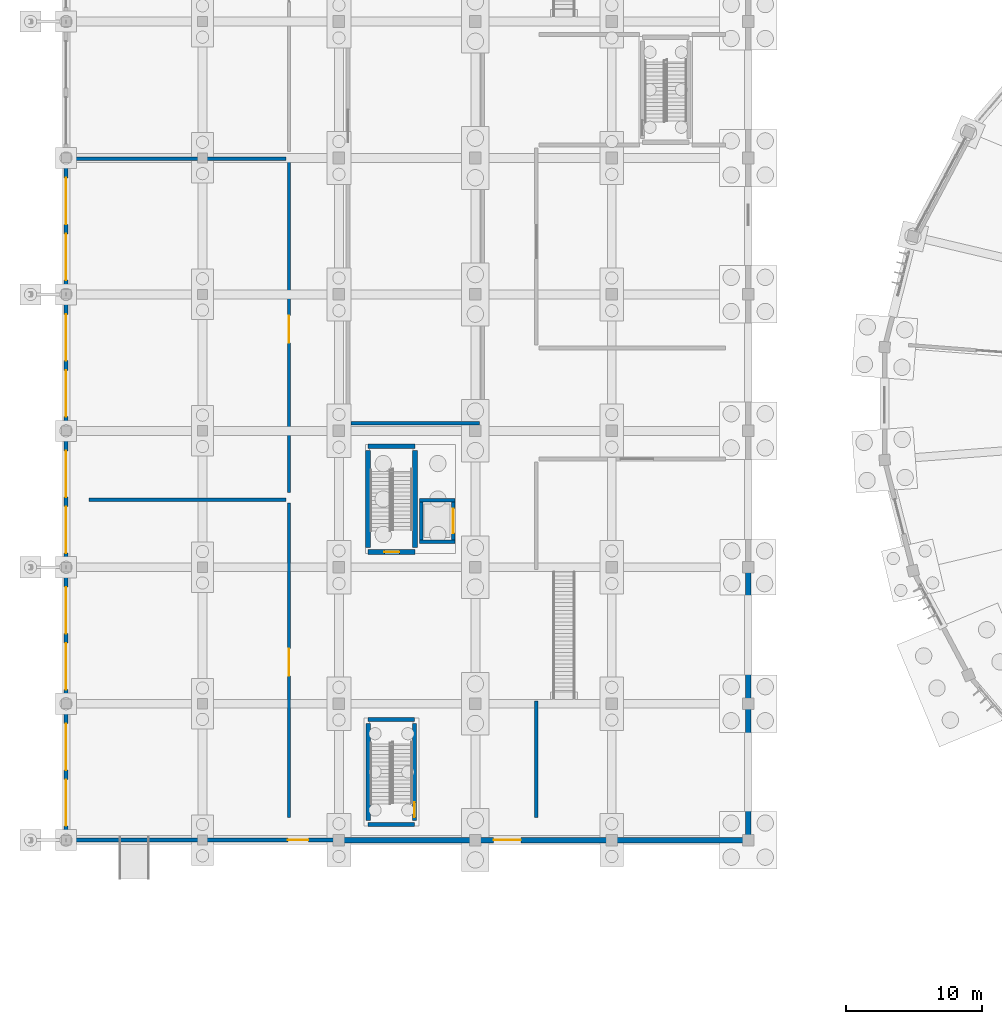
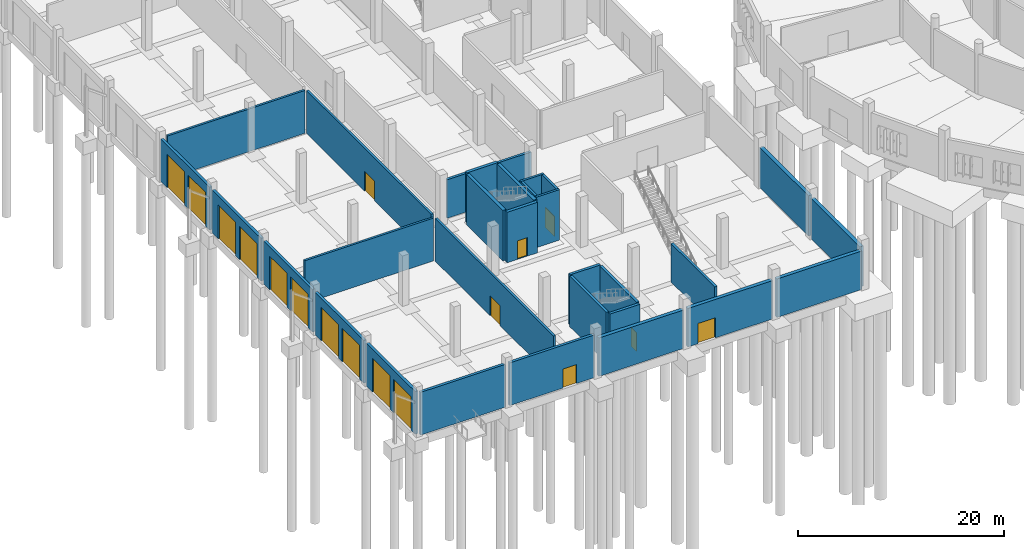
# One storey, part 77 of 140: 30 walls, 17 doors, 17 openings.
"""IFC4 building model written with IfcOpenShell, lengths in metres."""

from ifc_helpers import new_model, si_unit, direction, frame, frame_2d, origin, place, context, subcontext, project, spatial, rectangle, extrude, material, layer, layer_set, type_object, element, fill, save


model = new_model("IFC4")

# Units and contexts
model_context = context("Model", 3, precision=1e-05, world=origin(), true_north=direction((0.0, 1.0)))
body_context = subcontext(model_context, "Body", "Model", "MODEL_VIEW")
ifc_project = project(units=[si_unit("LENGTHUNIT", "METRE"), si_unit("AREAUNIT", "SQUARE_METRE"), si_unit("VOLUMEUNIT", "CUBIC_METRE"), si_unit("PLANEANGLEUNIT", "RADIAN"), si_unit("MASSUNIT", "GRAM", prefix="KILO")], contexts=[model_context])

# Site, building, storey
site_placement = place(None, origin())
site = spatial("IfcSite", under=ifc_project, at=site_placement, CompositionType="ELEMENT")
building_placement = place(site_placement, origin())
building = spatial("IfcBuilding", under=site, at=building_placement, Name="Corvandel Quay Wholesale Market", CompositionType="ELEMENT")
storey_placement = place(building_placement, origin())
storey = spatial("IfcBuildingStorey", under=building, at=storey_placement, Name="L00", CompositionType="ELEMENT", Elevation=0.0)

# Walls
ifc_material_1 = material(Name="PIR insulated food-safe sandwich panel")
ifc_layer_1 = layer(ifc_material_1, 0.280029296875)
ifc_layer_set_1 = layer_set([ifc_layer_1], Name="PIR insulated food-safe sandwich panel")
wall_type_1 = type_object("IfcWallType", Name="Cold Store Insulated Partition PT03 280", PredefinedType="PARTITIONING", material=ifc_layer_set_1)
wall_1_placement = place(storey_placement, frame((34.4599609375, 11.669921875, 0.0), z_axis=(0.0, 0.0, 1.0), x_axis=(0.0, 1.0, 0.0)))
element("IfcWall", 1, at=wall_1_placement, inside=storey, type_object=wall_type_1, Name="Interior Wall IW-0772", PredefinedType="PARTITIONING", context=body_context, shape_type="SweptSolid", body=[
    extrude(rectangle(XDim=8.513916015625, YDim=0.280029296875, at=frame_2d((4.2568359375, 0.0))), origin(), (0.0, 0.0, 1.0), 4.570068359375),
])
wall_2_placement = place(storey_placement, frame((30.320068359375, 40.56005859375, 0.0), z_axis=(0.0, 0.0, 1.0), x_axis=(-1.0, 0.0, 0.0)))
element("IfcWall", 2, at=wall_2_placement, inside=storey, type_object=wall_type_1, Name="Interior Wall IW-0791", PredefinedType="PARTITIONING", context=body_context, shape_type="SweptSolid", body=[
    extrude(rectangle(XDim=9.440185546875, YDim=0.280029296875, at=frame_2d((4.72021484375, 0.0))), origin(), (0.0, 0.0, 1.0), 4.570068359375),
])

# Wall, opening, door
ifc_material_2 = material(Name="Concrete C40/50", Category="concrete")
ifc_layer_2 = layer(ifc_material_2, 0.35009765625)
ifc_layer_set_2 = layer_set([ifc_layer_2], Name="Concrete C40/50")
wall_type_2 = type_object("IfcWallType", Name="Core Shear Wall SW01 350", PredefinedType="SHEAR", material=ifc_layer_set_2)
wall_3_placement = place(storey_placement, frame((22.125, 31.125, 0.0), z_axis=(0.0, 0.0, 1.0), x_axis=(1.0, 0.0, 0.0)))
wall_3 = element("IfcWall", 3, at=wall_3_placement, inside=storey, type_object=wall_type_2, Name="Shear Wall IW-0109", PredefinedType="SHEAR", context=body_context, shape_type="SweptSolid", body=[
    extrude(rectangle(XDim=3.449951171875, YDim=0.35009765625, at=frame_2d((1.72509765625, 0.0))), origin(), (0.0, 0.0, 1.0), 6.0),
])
opening_1_placement = place(wall_3_placement, frame((1.199951171875, 0.0, 0.0)))
opening_1 = element("IfcOpeningElement", 4, at=opening_1_placement, cuts=wall_3, Name="Opening L00-D066", PredefinedType="OPENING", context=body_context, shape_type="SweptSolid", body=[
    extrude(rectangle(XDim=1.10009765625, YDim=2.199951171875, at=frame_2d((0.550048828125, 1.10009765625))), frame((0.0, 0.18505859375, 0.0), z_axis=(0.0, -1.0, 0.0), x_axis=(1.0, 0.0, 0.0)), (0.0, 0.0, 1.0), 0.3701171875),
])
ifc_material_3 = material(Name="Galvanised fire-rated hollow steel", Category="steel")
door_type_1 = type_object("IfcDoorType", Name="Exit Stair Fire Door ID02 1100x2200R", OperationType="SINGLE_SWING_RIGHT", PredefinedType="DOOR", material=ifc_material_3)
door_1_placement = place(opening_1_placement, origin())
door_1 = element("IfcDoor", 5, at=door_1_placement, inside=storey, type_object=door_type_1, Name="Exit Stair Door SH11-L00", OperationType="SINGLE_SWING_RIGHT", OverallHeight=2.199951171875, OverallWidth=1.10009765625, PredefinedType="DOOR", context=body_context, shape_type="SweptSolid", body=[
    extrude(rectangle(XDim=1.10009765625, YDim=2.199951171875, at=frame_2d((0.550048828125, 1.10009765625))), frame((0.0, 0.02490234375, 0.0), z_axis=(0.0, -1.0, 0.0), x_axis=(1.0, 0.0, 0.0)), (0.0, 0.0, 1.0), 0.050048828125),
])
fill(opening_1, door_1)

# Walls
wall_4_placement = place(storey_placement, frame((22.125, 38.875, 0.0), z_axis=(0.0, 0.0, 1.0), x_axis=(1.0, 0.0, 0.0)))
element("IfcWall", 6, at=wall_4_placement, inside=storey, type_object=wall_type_2, Name="Shear Wall IW-0110", PredefinedType="SHEAR", context=body_context, shape_type="SweptSolid", body=[
    extrude(rectangle(XDim=3.449951171875, YDim=0.35009765625, at=frame_2d((1.72509765625, 0.0))), origin(), (0.0, 0.0, 1.0), 6.0),
])
for number, where, z_axis, x_axis, name in (
    (7, (22.125, 31.43994140625, 0.0), (0.0, 0.0, 1.0), (0.0, 1.0, 0.0), "Shear Wall IW-0111"),
    (8, (25.574951171875, 31.43994140625, 0.0), (0.0, 0.0, 1.0), (0.0, 1.0, 0.0), "Shear Wall IW-0112"),
):
    element("IfcWall", number, at=place(storey_placement, frame(where, z_axis=z_axis, x_axis=x_axis)), inside=storey, type_object=wall_type_2, Name=name, PredefinedType="SHEAR", context=body_context, shape_type="SweptSolid", body=[
        extrude(rectangle(XDim=7.1201171875, YDim=0.35009765625, at=frame_2d((3.56005859375, 0.0))), origin(), (0.0, 0.0, 1.0), 6.0),
    ])
ifc_material_4 = material(Name="Lightweight concrete blockwork", Category="masonry")
ifc_layer_3 = layer(ifc_material_4, 0.239990234375)
ifc_layer_set_3 = layer_set([ifc_layer_3], Name="Lightweight concrete blockwork")
wall_type_3 = type_object("IfcWallType", Name="Fire Compartment Partition PT01 240", PredefinedType="PARTITIONING", material=ifc_layer_set_3)
wall_5_placement = place(storey_placement, frame((1.669921875, 34.93994140625, 0.0), z_axis=(0.0, 0.0, 1.0), x_axis=(1.0, 0.0, 0.0)))
element("IfcWall", 9, at=wall_5_placement, inside=storey, type_object=wall_type_3, Name="Interior Wall IW-0765", PredefinedType="PARTITIONING", context=body_context, shape_type="SweptSolid", body=[
    extrude(rectangle(XDim=14.4501953125, YDim=0.239990234375, at=frame_2d((7.22509765625, 0.0))), origin(), (0.0, 0.0, 1.0), 5.080078125),
])

# Wall, opening, door
wall_6_placement = place(storey_placement, frame((16.340087890625, 34.719970703125, 0.0), z_axis=(0.0, 0.0, 1.0), x_axis=(0.0, -1.0, 0.0)))
wall_6 = element("IfcWall", 10, at=wall_6_placement, inside=storey, type_object=wall_type_3, Name="Interior Wall IW-0766", PredefinedType="PARTITIONING", context=body_context, shape_type="SweptSolid", body=[
    extrude(rectangle(XDim=23.050048828125, YDim=0.239990234375, at=frame_2d((11.52490234375, 0.0))), origin(), (0.0, 0.0, 1.0), 5.080078125),
])
opening_2_placement = place(wall_6_placement, frame((10.675048828125, 0.0, 0.0)))
opening_2 = element("IfcOpeningElement", 11, at=opening_2_placement, cuts=wall_6, Name="Opening L00-D110", PredefinedType="OPENING", context=body_context, shape_type="SweptSolid", body=[
    extrude(rectangle(XDim=2.0, YDim=2.35009765625, at=frame_2d((1.0, 1.175048828125))), frame((0.0, 0.1298828125, 0.0), z_axis=(0.0, -1.0, 0.0), x_axis=(1.0, 0.0, 0.0)), (0.0, 0.0, 1.0), 0.260009765625),
])
ifc_material_5 = material(Name="Heavy-duty anodised aluminium", Category="aluminium")
door_type_2 = type_object("IfcDoorType", Name="Trading Stall Double Door ID05 2000x2350", OperationType="DOUBLE_DOOR_SINGLE_SWING", PredefinedType="DOOR", material=ifc_material_5)
door_2_placement = place(opening_2_placement, origin())
door_2 = element("IfcDoor", 12, at=door_2_placement, inside=storey, type_object=door_type_2, Name="Refrigerated Truck Loading Dock Bay 1 Door", OperationType="DOUBLE_DOOR_SINGLE_SWING", OverallHeight=2.35009765625, OverallWidth=2.0, PredefinedType="DOOR", context=body_context, shape_type="SweptSolid", body=[
    extrude(rectangle(XDim=2.0, YDim=2.35009765625, at=frame_2d((1.0, 1.175048828125))), frame((0.0, 0.02490234375, 0.0), z_axis=(0.0, -1.0, 0.0), x_axis=(1.0, 0.0, 0.0)), (0.0, 0.0, 1.0), 0.050048828125),
])
fill(opening_2, door_2)

# Wall
wall_7_placement = place(storey_placement, frame((0.679931640625, 59.93994140625, 0.0), z_axis=(0.0, 0.0, 1.0), x_axis=(1.0, 0.0, 0.0)))
element("IfcWall", 13, at=wall_7_placement, inside=storey, type_object=wall_type_3, Name="Interior Wall IW-0767", PredefinedType="PARTITIONING", context=body_context, shape_type="SweptSolid", body=[
    extrude(rectangle(XDim=15.440185546875, YDim=0.239990234375, at=frame_2d((7.72021484375, 0.0))), origin(), (0.0, 0.0, 1.0), 5.080078125),
])

# Wall, opening, door
wall_8_placement = place(storey_placement, frame((16.340087890625, 59.719970703125, 0.0), z_axis=(0.0, 0.0, 1.0), x_axis=(0.0, -1.0, 0.0)))
wall_8 = element("IfcWall", 14, at=wall_8_placement, inside=storey, type_object=wall_type_3, Name="Interior Wall IW-0768", PredefinedType="PARTITIONING", context=body_context, shape_type="SweptSolid", body=[
    extrude(rectangle(XDim=24.239990234375, YDim=0.239990234375, at=frame_2d((12.1201171875, 0.0))), origin(), (0.0, 0.0, 1.0), 5.080078125),
])
opening_3_placement = place(wall_8_placement, frame((11.27001953125, 0.0, 0.0)))
opening_3 = element("IfcOpeningElement", 15, at=opening_3_placement, cuts=wall_8, Name="Opening L00-D111", PredefinedType="OPENING", context=body_context, shape_type="SweptSolid", body=[
    extrude(rectangle(XDim=2.0, YDim=2.35009765625, at=frame_2d((1.0, 1.175048828125))), frame((0.0, 0.1298828125, 0.0), z_axis=(0.0, -1.0, 0.0), x_axis=(1.0, 0.0, 0.0)), (0.0, 0.0, 1.0), 0.260009765625),
])
door_3_placement = place(opening_3_placement, origin())
door_3 = element("IfcDoor", 16, at=door_3_placement, inside=storey, type_object=door_type_2, Name="Refrigerated Truck Loading Dock Bay 2 Door", OperationType="DOUBLE_DOOR_SINGLE_SWING", OverallHeight=2.35009765625, OverallWidth=2.0, PredefinedType="DOOR", context=body_context, shape_type="SweptSolid", body=[
    extrude(rectangle(XDim=2.0, YDim=2.35009765625, at=frame_2d((1.0, 1.175048828125))), frame((0.0, 0.02490234375, 0.0), z_axis=(0.0, -1.0, 0.0), x_axis=(1.0, 0.0, 0.0)), (0.0, 0.0, 1.0), 0.050048828125),
])
fill(opening_3, door_3)

# Walls
ifc_material_6 = material(Name="Insulated precast concrete C45/55", Category="concrete")
ifc_layer_4 = layer(ifc_material_6, 0.39990234375)
ifc_layer_set_4 = layer_set([ifc_layer_4], Name="Insulated precast concrete C45/55")
wall_type_4 = type_object("IfcWallType", Name="Insulated Cold Store Envelope Wall EW03 400", PredefinedType="SOLIDWALL", material=ifc_layer_set_4)
for number, where, z_axis, x_axis, name in (
    (17, (50.0, 19.760009765625, 0.0), (0.0, 0.0, 1.0), (0.0, -1.0, 0.0), "Exterior Wall EW-0229"),
    (18, (50.0, 29.760009765625, 0.0), (0.0, 0.0, 1.0), (0.0, -1.0, 0.0), "Exterior Wall EW-0236"),
):
    element("IfcWall", number, at=place(storey_placement, frame(where, z_axis=z_axis, x_axis=x_axis)), inside=storey, type_object=wall_type_4, Name=name, PredefinedType="SOLIDWALL", context=body_context, shape_type="SweptSolid", body=[
        extrude(rectangle(XDim=9.52001953125, YDim=0.39990234375, at=frame_2d((4.760009765625, 0.0))), origin(), (0.0, 0.0, 1.0), 4.77001953125),
    ])
wall_9_placement = place(storey_placement, frame((20.239990234375, 10.0, 0.0), z_axis=(0.0, 0.0, 1.0), x_axis=(1.0, 0.0, 0.0)))
element("IfcWall", 19, at=wall_9_placement, inside=storey, type_object=wall_type_4, Name="Exterior Wall EW-0306", PredefinedType="SOLIDWALL", context=body_context, shape_type="SweptSolid", body=[
    extrude(rectangle(XDim=9.52001953125, YDim=0.39990234375, at=frame_2d((4.760009765625, 0.0))), origin(), (0.0, 0.0, 1.0), 4.570068359375),
])

# Wall, opening, door
wall_10_placement = place(storey_placement, frame((30.239990234375, 10.0, 0.0), z_axis=(0.0, 0.0, 1.0), x_axis=(1.0, 0.0, 0.0)))
wall_10 = element("IfcWall", 20, at=wall_10_placement, inside=storey, type_object=wall_type_4, Name="Exterior Wall EW-0314", PredefinedType="SOLIDWALL", context=body_context, shape_type="SweptSolid", body=[
    extrude(rectangle(XDim=9.52001953125, YDim=0.39990234375, at=frame_2d((4.760009765625, 0.0))), origin(), (0.0, 0.0, 1.0), 4.570068359375),
])
opening_4_placement = place(wall_10_placement, frame((1.10009765625, 0.0, 0.0)))
opening_4 = element("IfcOpeningElement", 21, at=opening_4_placement, cuts=wall_10, Name="Opening L00-D049", PredefinedType="OPENING", context=body_context, shape_type="SweptSolid", body=[
    extrude(rectangle(XDim=2.0, YDim=2.39990234375, at=frame_2d((1.0, 1.199951171875))), frame((0.0, 0.2099609375, 0.0), z_axis=(0.0, -1.0, 0.0), x_axis=(1.0, 0.0, 0.0)), (0.0, 0.0, 1.0), 0.419921875),
])
ifc_material_7 = material(Name="Bronze anodised aluminium and laminated glass", Category="aluminium")
door_type_3 = type_object("IfcDoorType", Name="Concourse Double Exit Door ED02 2000x2400", OperationType="DOUBLE_DOOR_SINGLE_SWING", PredefinedType="DOOR", material=ifc_material_7)
door_4_placement = place(opening_4_placement, origin())
door_4 = element("IfcDoor", 22, at=door_4_placement, inside=storey, type_object=door_type_3, Name="Main Pedestrian Exit V4-S30", OperationType="DOUBLE_DOOR_SINGLE_SWING", OverallHeight=2.39990234375, OverallWidth=2.0, PredefinedType="DOOR", context=body_context, shape_type="SweptSolid", body=[
    extrude(rectangle(XDim=2.0, YDim=2.39990234375, at=frame_2d((1.0, 1.199951171875))), frame((0.0, 0.02490234375, 0.0), z_axis=(0.0, -1.0, 0.0), x_axis=(1.0, 0.0, 0.0)), (0.0, 0.0, 1.0), 0.050048828125),
])
fill(opening_4, door_4)

# Walls
wall_11_placement = place(storey_placement, frame((40.239990234375, 10.0, 0.0), z_axis=(0.0, 0.0, 1.0), x_axis=(1.0, 0.0, 0.0)))
element("IfcWall", 23, at=wall_11_placement, inside=storey, type_object=wall_type_4, Name="Exterior Wall EW-0322", PredefinedType="SOLIDWALL", context=body_context, shape_type="SweptSolid", body=[
    extrude(rectangle(XDim=9.52001953125, YDim=0.39990234375, at=frame_2d((4.760009765625, 0.0))), origin(), (0.0, 0.0, 1.0), 4.570068359375),
])
ifc_layer_5 = layer(ifc_material_2, 0.25)
ifc_layer_set_5 = layer_set([ifc_layer_5], Name="Concrete C40/50")
wall_type_5 = type_object("IfcWallType", Name="Lift Shaft Shear Wall SW03 250", PredefinedType="SHEAR", material=ifc_layer_set_5)
for number, where, z_axis, x_axis, name in (
    (24, (25.89990234375, 31.875, 0.0), (0.0, 0.0, 1.0), (1.0, 0.0, 0.0), "Shear Wall IW-0297"),
    (25, (25.89990234375, 34.925048828125, 0.0), (0.0, 0.0, 1.0), (1.0, 0.0, 0.0), "Shear Wall IW-0298"),
):
    element("IfcWall", number, at=place(storey_placement, frame(where, z_axis=z_axis, x_axis=x_axis)), inside=storey, type_object=wall_type_5, Name=name, PredefinedType="SHEAR", context=body_context, shape_type="SweptSolid", body=[
        extrude(rectangle(XDim=2.60009765625, YDim=0.25, at=frame_2d((1.300048828125, 0.0))), origin(), (0.0, 0.0, 1.0), 6.0),
    ])
wall_12_placement = place(storey_placement, frame((26.02490234375, 31.989990234375, 0.0), z_axis=(0.0, 0.0, 1.0), x_axis=(0.0, 1.0, 0.0)))
element("IfcWall", 26, at=wall_12_placement, inside=storey, type_object=wall_type_5, Name="Shear Wall IW-0299", PredefinedType="SHEAR", context=body_context, shape_type="SweptSolid", body=[
    extrude(rectangle(XDim=2.820068359375, YDim=0.25, at=frame_2d((1.41015625, 0.0))), origin(), (0.0, 0.0, 1.0), 6.0),
])

# Wall, opening, door
wall_13_placement = place(storey_placement, frame((28.375, 31.989990234375, 0.0), z_axis=(0.0, 0.0, 1.0), x_axis=(0.0, 1.0, 0.0)))
wall_13 = element("IfcWall", 27, at=wall_13_placement, inside=storey, type_object=wall_type_5, Name="Shear Wall IW-0300", PredefinedType="SHEAR", context=body_context, shape_type="SweptSolid", body=[
    extrude(rectangle(XDim=2.820068359375, YDim=0.25, at=frame_2d((1.41015625, 0.0))), origin(), (0.0, 0.0, 1.0), 6.0),
])
opening_5_placement = place(wall_13_placement, frame((0.510009765625, 0.0, 0.0)))
opening_5 = element("IfcOpeningElement", 28, at=opening_5_placement, cuts=wall_13, Name="Opening LD-L00-081", PredefinedType="OPENING", context=body_context, shape_type="SweptSolid", body=[
    extrude(rectangle(XDim=1.800048828125, YDim=2.39990234375, at=frame_2d((0.89990234375, 1.199951171875))), frame((0.0, 0.135009765625, 0.0), z_axis=(0.0, -1.0, 0.0), x_axis=(1.0, 0.0, 0.0)), (0.0, 0.0, 1.0), 0.27001953125),
])
ifc_material_8 = material(Name="Heavy-duty brushed stainless steel", Category="steel")
door_type_4 = type_object("IfcDoorType", Name="Goods Lift Landing Door LD02 1800x2400", OperationType="DOUBLE_DOOR_SLIDING", PredefinedType="DOOR", material=ifc_material_8)
door_5_placement = place(opening_5_placement, origin())
door_5 = element("IfcDoor", 29, at=door_5_placement, inside=storey, type_object=door_type_4, Name="Lift Landing Door LF-V4F1-L00", OperationType="DOUBLE_DOOR_SLIDING", OverallHeight=2.39990234375, OverallWidth=1.800048828125, PredefinedType="DOOR", context=body_context, shape_type="SweptSolid", body=[
    extrude(rectangle(XDim=1.800048828125, YDim=2.39990234375, at=frame_2d((0.89990234375, 1.199951171875))), frame((0.0, 0.02490234375, 0.0), z_axis=(0.0, -1.0, 0.0), x_axis=(1.0, 0.0, 0.0)), (0.0, 0.0, 1.0), 0.050048828125),
])
fill(opening_5, door_5)

# Wall, openings, doors
ifc_material_9 = material(Name="Precast concrete C45/55", Category="concrete")
ifc_layer_6 = layer(ifc_material_9, 0.300048828125)
ifc_layer_set_6 = layer_set([ifc_layer_6], Name="Precast concrete C45/55")
wall_type_6 = type_object("IfcWallType", Name="Loading Dock Apron Precast Wall EW05 300", PredefinedType="SOLIDWALL", material=ifc_layer_set_6)
wall_14_placement = place(storey_placement, frame((0.0, 10.239990234375, 0.0), z_axis=(0.0, 0.0, 1.0), x_axis=(0.0, 1.0, 0.0)))
wall_14 = element("IfcWall", 30, at=wall_14_placement, inside=storey, type_object=wall_type_6, Name="Exterior Wall EW-0198", PredefinedType="SOLIDWALL", context=body_context, shape_type="SweptSolid", body=[
    extrude(rectangle(XDim=9.52001953125, YDim=0.300048828125, at=frame_2d((4.760009765625, 0.0))), origin(), (0.0, 0.0, 1.0), 5.080078125),
])
opening_6_placement = place(wall_14_placement, frame((0.800048828125, 0.0, 0.0)))
opening_6 = element("IfcOpeningElement", 31, at=opening_6_placement, cuts=wall_14, Name="Opening L00-D024", PredefinedType="OPENING", context=body_context, shape_type="SweptSolid", body=[
    extrude(rectangle(XDim=3.39990234375, YDim=4.0, at=frame_2d((1.699951171875, 2.0))), frame((0.0, 0.159912109375, 0.0), z_axis=(0.0, -1.0, 0.0), x_axis=(1.0, 0.0, 0.0)), (0.0, 0.0, 1.0), 0.320068359375),
])
opening_7_placement = place(wall_14_placement, frame((4.89990234375, 0.0, 0.0)))
opening_7 = element("IfcOpeningElement", 32, at=opening_7_placement, cuts=wall_14, Name="Opening L00-D025", PredefinedType="OPENING", context=body_context, shape_type="SweptSolid", body=[
    extrude(rectangle(XDim=3.39990234375, YDim=4.0, at=frame_2d((1.699951171875, 2.0))), frame((0.0, 0.159912109375, 0.0), z_axis=(0.0, -1.0, 0.0), x_axis=(1.0, 0.0, 0.0)), (0.0, 0.0, 1.0), 0.320068359375),
])
ifc_material_10 = material(Name="Insulated galvanised steel slats", Category="steel")
door_type_5 = type_object("IfcDoorType", Name="Refrigerated Dock Roller Shutter RS01 3400x4000", OperationType="ROLLINGUP", PredefinedType="DOOR", material=ifc_material_10)
door_6_placement = place(opening_6_placement, origin())
door_6 = element("IfcDoor", 33, at=door_6_placement, inside=storey, type_object=door_type_5, Name="Dock Bay Shutter A-01", OperationType="ROLLINGUP", OverallHeight=4.0, OverallWidth=3.39990234375, PredefinedType="DOOR", context=body_context, shape_type="SweptSolid", body=[
    extrude(rectangle(XDim=3.39990234375, YDim=4.0, at=frame_2d((1.699951171875, 2.0))), frame((0.0, 0.02490234375, 0.0), z_axis=(0.0, -1.0, 0.0), x_axis=(1.0, 0.0, 0.0)), (0.0, 0.0, 1.0), 0.050048828125),
])
fill(opening_6, door_6)
door_7_placement = place(opening_7_placement, origin())
door_7 = element("IfcDoor", 34, at=door_7_placement, inside=storey, type_object=door_type_5, Name="Dock Bay Shutter A-02", OperationType="ROLLINGUP", OverallHeight=4.0, OverallWidth=3.39990234375, PredefinedType="DOOR", context=body_context, shape_type="SweptSolid", body=[
    extrude(rectangle(XDim=3.39990234375, YDim=4.0, at=frame_2d((1.699951171875, 2.0))), frame((0.0, 0.02490234375, 0.0), z_axis=(0.0, -1.0, 0.0), x_axis=(1.0, 0.0, 0.0)), (0.0, 0.0, 1.0), 0.050048828125),
])
fill(opening_7, door_7)

wall_15_placement = place(storey_placement, frame((0.0, 20.239990234375, 0.0), z_axis=(0.0, 0.0, 1.0), x_axis=(0.0, 1.0, 0.0)))
wall_15 = element("IfcWall", 35, at=wall_15_placement, inside=storey, type_object=wall_type_6, Name="Exterior Wall EW-0200", PredefinedType="SOLIDWALL", context=body_context, shape_type="SweptSolid", body=[
    extrude(rectangle(XDim=9.52001953125, YDim=0.300048828125, at=frame_2d((4.760009765625, 0.0))), origin(), (0.0, 0.0, 1.0), 5.080078125),
])
opening_8_placement = place(wall_15_placement, frame((0.800048828125, 0.0, 0.0)))
opening_8 = element("IfcOpeningElement", 36, at=opening_8_placement, cuts=wall_15, Name="Opening L00-D026", PredefinedType="OPENING", context=body_context, shape_type="SweptSolid", body=[
    extrude(rectangle(XDim=3.39990234375, YDim=4.0, at=frame_2d((1.699951171875, 2.0))), frame((0.0, 0.159912109375, 0.0), z_axis=(0.0, -1.0, 0.0), x_axis=(1.0, 0.0, 0.0)), (0.0, 0.0, 1.0), 0.320068359375),
])
opening_9_placement = place(wall_15_placement, frame((4.89990234375, 0.0, 0.0)))
opening_9 = element("IfcOpeningElement", 37, at=opening_9_placement, cuts=wall_15, Name="Opening L00-D027", PredefinedType="OPENING", context=body_context, shape_type="SweptSolid", body=[
    extrude(rectangle(XDim=3.39990234375, YDim=4.0, at=frame_2d((1.699951171875, 2.0))), frame((0.0, 0.159912109375, 0.0), z_axis=(0.0, -1.0, 0.0), x_axis=(1.0, 0.0, 0.0)), (0.0, 0.0, 1.0), 0.320068359375),
])
door_8_placement = place(opening_8_placement, origin())
door_8 = element("IfcDoor", 38, at=door_8_placement, inside=storey, type_object=door_type_5, Name="Dock Bay Shutter A-03", OperationType="ROLLINGUP", OverallHeight=4.0, OverallWidth=3.39990234375, PredefinedType="DOOR", context=body_context, shape_type="SweptSolid", body=[
    extrude(rectangle(XDim=3.39990234375, YDim=4.0, at=frame_2d((1.699951171875, 2.0))), frame((0.0, 0.02490234375, 0.0), z_axis=(0.0, -1.0, 0.0), x_axis=(1.0, 0.0, 0.0)), (0.0, 0.0, 1.0), 0.050048828125),
])
fill(opening_8, door_8)
door_9_placement = place(opening_9_placement, origin())
door_9 = element("IfcDoor", 39, at=door_9_placement, inside=storey, type_object=door_type_5, Name="Dock Bay Shutter A-04", OperationType="ROLLINGUP", OverallHeight=4.0, OverallWidth=3.39990234375, PredefinedType="DOOR", context=body_context, shape_type="SweptSolid", body=[
    extrude(rectangle(XDim=3.39990234375, YDim=4.0, at=frame_2d((1.699951171875, 2.0))), frame((0.0, 0.02490234375, 0.0), z_axis=(0.0, -1.0, 0.0), x_axis=(1.0, 0.0, 0.0)), (0.0, 0.0, 1.0), 0.050048828125),
])
fill(opening_9, door_9)

wall_16_placement = place(storey_placement, frame((0.0, 30.239990234375, 0.0), z_axis=(0.0, 0.0, 1.0), x_axis=(0.0, 1.0, 0.0)))
wall_16 = element("IfcWall", 40, at=wall_16_placement, inside=storey, type_object=wall_type_6, Name="Exterior Wall EW-0202", PredefinedType="SOLIDWALL", context=body_context, shape_type="SweptSolid", body=[
    extrude(rectangle(XDim=9.52001953125, YDim=0.300048828125, at=frame_2d((4.760009765625, 0.0))), origin(), (0.0, 0.0, 1.0), 5.080078125),
])
opening_10_placement = place(wall_16_placement, frame((0.800048828125, 0.0, 0.0)))
opening_10 = element("IfcOpeningElement", 41, at=opening_10_placement, cuts=wall_16, Name="Opening L00-D028", PredefinedType="OPENING", context=body_context, shape_type="SweptSolid", body=[
    extrude(rectangle(XDim=3.39990234375, YDim=4.0, at=frame_2d((1.699951171875, 2.0))), frame((0.0, 0.159912109375, 0.0), z_axis=(0.0, -1.0, 0.0), x_axis=(1.0, 0.0, 0.0)), (0.0, 0.0, 1.0), 0.320068359375),
])
opening_11_placement = place(wall_16_placement, frame((4.89990234375, 0.0, 0.0)))
opening_11 = element("IfcOpeningElement", 42, at=opening_11_placement, cuts=wall_16, Name="Opening L00-D029", PredefinedType="OPENING", context=body_context, shape_type="SweptSolid", body=[
    extrude(rectangle(XDim=3.39990234375, YDim=4.0, at=frame_2d((1.699951171875, 2.0))), frame((0.0, 0.159912109375, 0.0), z_axis=(0.0, -1.0, 0.0), x_axis=(1.0, 0.0, 0.0)), (0.0, 0.0, 1.0), 0.320068359375),
])
door_10_placement = place(opening_10_placement, origin())
door_10 = element("IfcDoor", 43, at=door_10_placement, inside=storey, type_object=door_type_5, Name="Dock Bay Shutter A-05", OperationType="ROLLINGUP", OverallHeight=4.0, OverallWidth=3.39990234375, PredefinedType="DOOR", context=body_context, shape_type="SweptSolid", body=[
    extrude(rectangle(XDim=3.39990234375, YDim=4.0, at=frame_2d((1.699951171875, 2.0))), frame((0.0, 0.02490234375, 0.0), z_axis=(0.0, -1.0, 0.0), x_axis=(1.0, 0.0, 0.0)), (0.0, 0.0, 1.0), 0.050048828125),
])
fill(opening_10, door_10)
door_11_placement = place(opening_11_placement, origin())
door_11 = element("IfcDoor", 44, at=door_11_placement, inside=storey, type_object=door_type_5, Name="Dock Bay Shutter A-06", OperationType="ROLLINGUP", OverallHeight=4.0, OverallWidth=3.39990234375, PredefinedType="DOOR", context=body_context, shape_type="SweptSolid", body=[
    extrude(rectangle(XDim=3.39990234375, YDim=4.0, at=frame_2d((1.699951171875, 2.0))), frame((0.0, 0.02490234375, 0.0), z_axis=(0.0, -1.0, 0.0), x_axis=(1.0, 0.0, 0.0)), (0.0, 0.0, 1.0), 0.050048828125),
])
fill(opening_11, door_11)

wall_17_placement = place(storey_placement, frame((0.0, 40.239990234375, 0.0), z_axis=(0.0, 0.0, 1.0), x_axis=(0.0, 1.0, 0.0)))
wall_17 = element("IfcWall", 45, at=wall_17_placement, inside=storey, type_object=wall_type_6, Name="Exterior Wall EW-0204", PredefinedType="SOLIDWALL", context=body_context, shape_type="SweptSolid", body=[
    extrude(rectangle(XDim=9.52001953125, YDim=0.300048828125, at=frame_2d((4.760009765625, 0.0))), origin(), (0.0, 0.0, 1.0), 5.080078125),
])
opening_12_placement = place(wall_17_placement, frame((0.800048828125, 0.0, 0.0)))
opening_12 = element("IfcOpeningElement", 46, at=opening_12_placement, cuts=wall_17, Name="Opening L00-D030", PredefinedType="OPENING", context=body_context, shape_type="SweptSolid", body=[
    extrude(rectangle(XDim=3.39990234375, YDim=4.0, at=frame_2d((1.699951171875, 2.0))), frame((0.0, 0.159912109375, 0.0), z_axis=(0.0, -1.0, 0.0), x_axis=(1.0, 0.0, 0.0)), (0.0, 0.0, 1.0), 0.320068359375),
])
opening_13_placement = place(wall_17_placement, frame((4.89990234375, 0.0, 0.0)))
opening_13 = element("IfcOpeningElement", 47, at=opening_13_placement, cuts=wall_17, Name="Opening L00-D031", PredefinedType="OPENING", context=body_context, shape_type="SweptSolid", body=[
    extrude(rectangle(XDim=3.39990234375, YDim=4.0, at=frame_2d((1.699951171875, 2.0))), frame((0.0, 0.159912109375, 0.0), z_axis=(0.0, -1.0, 0.0), x_axis=(1.0, 0.0, 0.0)), (0.0, 0.0, 1.0), 0.320068359375),
])
door_12_placement = place(opening_12_placement, origin())
door_12 = element("IfcDoor", 48, at=door_12_placement, inside=storey, type_object=door_type_5, Name="Dock Bay Shutter A-07", OperationType="ROLLINGUP", OverallHeight=4.0, OverallWidth=3.39990234375, PredefinedType="DOOR", context=body_context, shape_type="SweptSolid", body=[
    extrude(rectangle(XDim=3.39990234375, YDim=4.0, at=frame_2d((1.699951171875, 2.0))), frame((0.0, 0.02490234375, 0.0), z_axis=(0.0, -1.0, 0.0), x_axis=(1.0, 0.0, 0.0)), (0.0, 0.0, 1.0), 0.050048828125),
])
fill(opening_12, door_12)
door_13_placement = place(opening_13_placement, origin())
door_13 = element("IfcDoor", 49, at=door_13_placement, inside=storey, type_object=door_type_5, Name="Dock Bay Shutter A-08", OperationType="ROLLINGUP", OverallHeight=4.0, OverallWidth=3.39990234375, PredefinedType="DOOR", context=body_context, shape_type="SweptSolid", body=[
    extrude(rectangle(XDim=3.39990234375, YDim=4.0, at=frame_2d((1.699951171875, 2.0))), frame((0.0, 0.02490234375, 0.0), z_axis=(0.0, -1.0, 0.0), x_axis=(1.0, 0.0, 0.0)), (0.0, 0.0, 1.0), 0.050048828125),
])
fill(opening_13, door_13)

wall_18_placement = place(storey_placement, frame((0.0, 50.239990234375, 0.0), z_axis=(0.0, 0.0, 1.0), x_axis=(0.0, 1.0, 0.0)))
wall_18 = element("IfcWall", 50, at=wall_18_placement, inside=storey, type_object=wall_type_6, Name="Exterior Wall EW-0206", PredefinedType="SOLIDWALL", context=body_context, shape_type="SweptSolid", body=[
    extrude(rectangle(XDim=9.52001953125, YDim=0.300048828125, at=frame_2d((4.760009765625, 0.0))), origin(), (0.0, 0.0, 1.0), 5.080078125),
])
opening_14_placement = place(wall_18_placement, frame((0.800048828125, 0.0, 0.0)))
opening_14 = element("IfcOpeningElement", 51, at=opening_14_placement, cuts=wall_18, Name="Opening L00-D032", PredefinedType="OPENING", context=body_context, shape_type="SweptSolid", body=[
    extrude(rectangle(XDim=3.39990234375, YDim=4.0, at=frame_2d((1.699951171875, 2.0))), frame((0.0, 0.159912109375, 0.0), z_axis=(0.0, -1.0, 0.0), x_axis=(1.0, 0.0, 0.0)), (0.0, 0.0, 1.0), 0.320068359375),
])
opening_15_placement = place(wall_18_placement, frame((4.89990234375, 0.0, 0.0)))
opening_15 = element("IfcOpeningElement", 52, at=opening_15_placement, cuts=wall_18, Name="Opening L00-D033", PredefinedType="OPENING", context=body_context, shape_type="SweptSolid", body=[
    extrude(rectangle(XDim=3.39990234375, YDim=4.0, at=frame_2d((1.699951171875, 2.0))), frame((0.0, 0.159912109375, 0.0), z_axis=(0.0, -1.0, 0.0), x_axis=(1.0, 0.0, 0.0)), (0.0, 0.0, 1.0), 0.320068359375),
])
door_14_placement = place(opening_14_placement, origin())
door_14 = element("IfcDoor", 53, at=door_14_placement, inside=storey, type_object=door_type_5, Name="Dock Bay Shutter A-09", OperationType="ROLLINGUP", OverallHeight=4.0, OverallWidth=3.39990234375, PredefinedType="DOOR", context=body_context, shape_type="SweptSolid", body=[
    extrude(rectangle(XDim=3.39990234375, YDim=4.0, at=frame_2d((1.699951171875, 2.0))), frame((0.0, 0.02490234375, 0.0), z_axis=(0.0, -1.0, 0.0), x_axis=(1.0, 0.0, 0.0)), (0.0, 0.0, 1.0), 0.050048828125),
])
fill(opening_14, door_14)
door_15_placement = place(opening_15_placement, origin())
door_15 = element("IfcDoor", 54, at=door_15_placement, inside=storey, type_object=door_type_5, Name="Dock Bay Shutter A-10", OperationType="ROLLINGUP", OverallHeight=4.0, OverallWidth=3.39990234375, PredefinedType="DOOR", context=body_context, shape_type="SweptSolid", body=[
    extrude(rectangle(XDim=3.39990234375, YDim=4.0, at=frame_2d((1.699951171875, 2.0))), frame((0.0, 0.02490234375, 0.0), z_axis=(0.0, -1.0, 0.0), x_axis=(1.0, 0.0, 0.0)), (0.0, 0.0, 1.0), 0.050048828125),
])
fill(opening_15, door_15)

# Wall
wall_19_placement = place(storey_placement, frame((9.760009765625, 10.0, 0.0), z_axis=(0.0, 0.0, 1.0), x_axis=(-1.0, 0.0, 0.0)))
element("IfcWall", 55, at=wall_19_placement, inside=storey, type_object=wall_type_6, Name="Exterior Wall EW-0218", PredefinedType="SOLIDWALL", context=body_context, shape_type="SweptSolid", body=[
    extrude(rectangle(XDim=9.52001953125, YDim=0.300048828125, at=frame_2d((4.760009765625, 0.0))), origin(), (0.0, 0.0, 1.0), 5.080078125),
])

# Wall, opening, door
wall_20_placement = place(storey_placement, frame((19.760009765625, 10.0, 0.0), z_axis=(0.0, 0.0, 1.0), x_axis=(-1.0, 0.0, 0.0)))
wall_20 = element("IfcWall", 56, at=wall_20_placement, inside=storey, type_object=wall_type_6, Name="Exterior Wall EW-0220", PredefinedType="SOLIDWALL", context=body_context, shape_type="SweptSolid", body=[
    extrude(rectangle(XDim=9.52001953125, YDim=0.300048828125, at=frame_2d((4.760009765625, 0.0))), origin(), (0.0, 0.0, 1.0), 5.080078125),
])
opening_16_placement = place(wall_20_placement, frame((2.0, 0.0, 0.0)))
opening_16 = element("IfcOpeningElement", 57, at=opening_16_placement, cuts=wall_20, Name="Opening L00-D044", PredefinedType="OPENING", context=body_context, shape_type="SweptSolid", body=[
    extrude(rectangle(XDim=1.5, YDim=2.25, at=frame_2d((0.75, 1.125))), frame((0.0, 0.159912109375, 0.0), z_axis=(0.0, -1.0, 0.0), x_axis=(1.0, 0.0, 0.0)), (0.0, 0.0, 1.0), 0.320068359375),
])
ifc_material_11 = material(Name="Galvanised insulated hollow steel", Category="steel")
door_type_6 = type_object("IfcDoorType", Name="Exterior Stair Discharge Door ED05 1500x2250", OperationType="SINGLE_SWING_RIGHT", PredefinedType="DOOR", material=ifc_material_11)
door_16_placement = place(opening_16_placement, origin())
door_16 = element("IfcDoor", 58, at=door_16_placement, inside=storey, type_object=door_type_6, Name="Main Pedestrian Exit V4-S", OperationType="SINGLE_SWING_RIGHT", OverallHeight=2.25, OverallWidth=1.5, PredefinedType="DOOR", context=body_context, shape_type="SweptSolid", body=[
    extrude(rectangle(XDim=1.5, YDim=2.25, at=frame_2d((0.75, 1.125))), frame((0.0, 0.02490234375, 0.0), z_axis=(0.0, -1.0, 0.0), x_axis=(1.0, 0.0, 0.0)), (0.0, 0.0, 1.0), 0.050048828125),
])
fill(opening_16, door_16)

# Walls
ifc_layer_7 = layer(ifc_material_2, 0.300048828125)
ifc_layer_set_7 = layer_set([ifc_layer_7], Name="Concrete C40/50")
wall_type_7 = type_object("IfcWallType", Name="Stair Shaft Shear Wall SW02 300", PredefinedType="SHEAR", material=ifc_layer_set_7)
for number, where, z_axis, x_axis, name in (
    (59, (22.14990234375, 11.14990234375, 0.0), (0.0, 0.0, 1.0), (1.0, 0.0, 0.0), "Shear Wall IW-0145"),
    (60, (22.14990234375, 18.85009765625, 0.0), (0.0, 0.0, 1.0), (1.0, 0.0, 0.0), "Shear Wall IW-0146"),
):
    element("IfcWall", number, at=place(storey_placement, frame(where, z_axis=z_axis, x_axis=x_axis)), inside=storey, type_object=wall_type_7, Name=name, PredefinedType="SHEAR", context=body_context, shape_type="SweptSolid", body=[
        extrude(rectangle(XDim=3.400146484375, YDim=0.300048828125, at=frame_2d((1.7001953125, 0.0))), origin(), (0.0, 0.0, 1.0), 6.0),
    ])
wall_21_placement = place(storey_placement, frame((22.14990234375, 11.43994140625, 0.0), z_axis=(0.0, 0.0, 1.0), x_axis=(0.0, 1.0, 0.0)))
element("IfcWall", 61, at=wall_21_placement, inside=storey, type_object=wall_type_7, Name="Shear Wall IW-0147", PredefinedType="SHEAR", context=body_context, shape_type="SweptSolid", body=[
    extrude(rectangle(XDim=7.1201171875, YDim=0.300048828125, at=frame_2d((3.56005859375, 0.0))), origin(), (0.0, 0.0, 1.0), 6.0),
])

# Wall, opening, door
wall_22_placement = place(storey_placement, frame((25.550048828125, 11.43994140625, 0.0), z_axis=(0.0, 0.0, 1.0), x_axis=(0.0, 1.0, 0.0)))
wall_22 = element("IfcWall", 62, at=wall_22_placement, inside=storey, type_object=wall_type_7, Name="Shear Wall IW-0148", PredefinedType="SHEAR", context=body_context, shape_type="SweptSolid", body=[
    extrude(rectangle(XDim=7.1201171875, YDim=0.300048828125, at=frame_2d((3.56005859375, 0.0))), origin(), (0.0, 0.0, 1.0), 6.0),
])
opening_17_placement = place(wall_22_placement, frame((0.219970703125, 0.0, 0.0)))
opening_17 = element("IfcOpeningElement", 63, at=opening_17_placement, cuts=wall_22, Name="Opening L00-D069", PredefinedType="OPENING", context=body_context, shape_type="SweptSolid", body=[
    extrude(rectangle(XDim=1.10009765625, YDim=2.199951171875, at=frame_2d((0.550048828125, 1.10009765625))), frame((0.0, 0.159912109375, 0.0), z_axis=(0.0, -1.0, 0.0), x_axis=(1.0, 0.0, 0.0)), (0.0, 0.0, 1.0), 0.320068359375),
])
door_type_7 = type_object("IfcDoorType", Name="Exit Stair Fire Door ID01 1100x2200L", OperationType="SINGLE_SWING_LEFT", PredefinedType="DOOR", material=ifc_material_3)
door_17_placement = place(opening_17_placement, origin())
door_17 = element("IfcDoor", 64, at=door_17_placement, inside=storey, type_object=door_type_7, Name="Exit Stair Door SH14-L00", OperationType="SINGLE_SWING_LEFT", OverallHeight=2.199951171875, OverallWidth=1.10009765625, PredefinedType="DOOR", context=body_context, shape_type="SweptSolid", body=[
    extrude(rectangle(XDim=1.10009765625, YDim=2.199951171875, at=frame_2d((0.550048828125, 1.10009765625))), frame((0.0, 0.02490234375, 0.0), z_axis=(0.0, -1.0, 0.0), x_axis=(1.0, 0.0, 0.0)), (0.0, 0.0, 1.0), 0.050048828125),
])
fill(opening_17, door_17)

save(model, "model.ifc")
